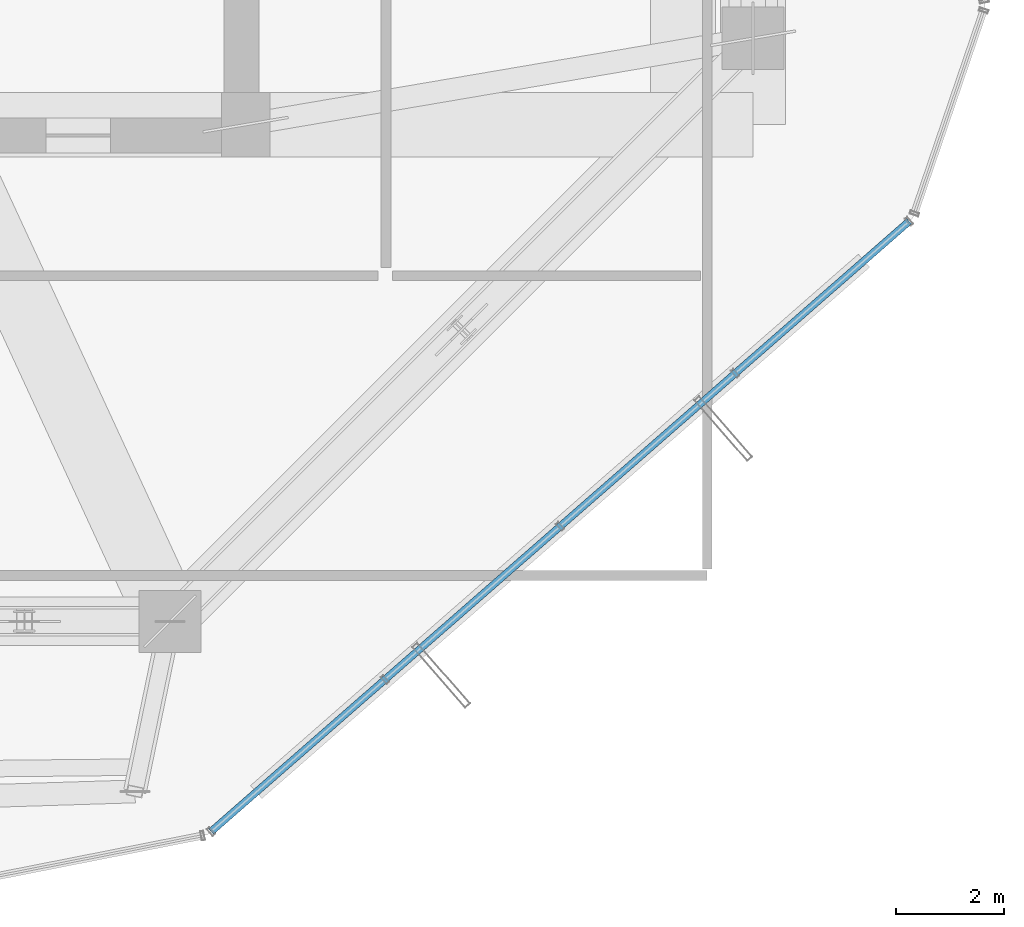
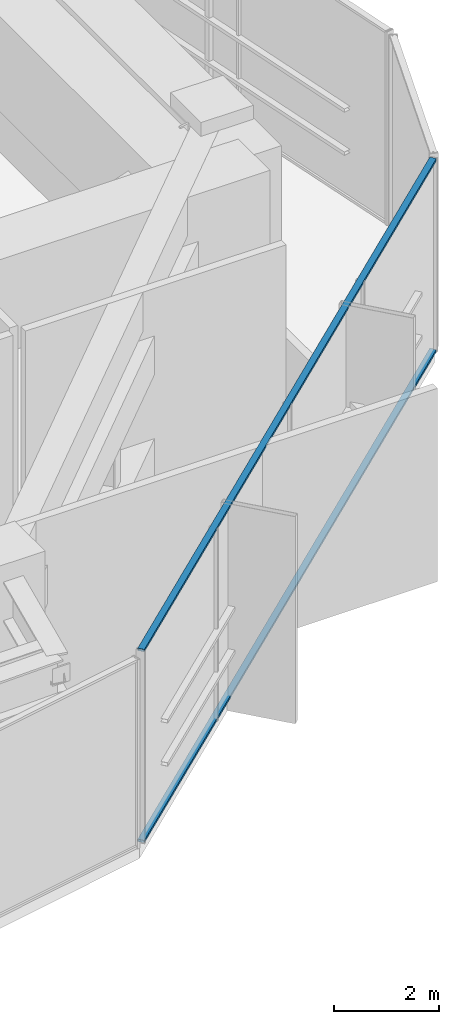
# One storey, part 17 of 36: 2 members, 1 element without a shape of its own.
"""IFC4 building model written with IfcOpenShell, lengths in metres."""

from ifc_helpers import new_model, si_unit, direction, frame, origin, origin_2d, place, context, subcontext, project, spatial, hollow_rectangle, extrude, source, transform, mapped, material, layer, layer_set, material_profile, profile_set, type_object, element, aggregate, save


model = new_model("IFC4")

# Units and contexts
model_context = context("Model", 3, precision=1e-05, world=origin(), true_north=direction((0.0, 1.0)))
body_context = subcontext(model_context, "Body", "Model", "MODEL_VIEW")
ifc_project = project(units=[si_unit("LENGTHUNIT", "METRE"), si_unit("AREAUNIT", "SQUARE_METRE"), si_unit("VOLUMEUNIT", "CUBIC_METRE"), si_unit("PLANEANGLEUNIT", "RADIAN"), si_unit("MASSUNIT", "GRAM", prefix="KILO")], contexts=[model_context])

# Site, building, storey
site_placement = place(None, origin())
site = spatial("IfcSite", under=ifc_project, at=site_placement, CompositionType="ELEMENT")
building_placement = place(site_placement, origin())
building = spatial("IfcBuilding", under=site, at=building_placement, Name="Veraguas Prism Commons", CompositionType="ELEMENT")
storey_placement = place(building_placement, frame((0.0, 0.0, 169.550048828125)))
storey = spatial("IfcBuildingStorey", under=building, at=storey_placement, Name="L48", CompositionType="ELEMENT", Elevation=169.550048828125)

# Curtain wall, members
ifc_material = material(Name="Anodised aluminium EN AW-6063 T6", Category="aluminium")
ifc_layer = layer(ifc_material, 0.169921875, Name="Unitised Flush Curtain Wall Zone 2", Category="aluminium")
ifc_layer_set = layer_set([ifc_layer], Name="Anodised aluminium EN AW-6063 T6")
curtain_wall_type = type_object("IfcCurtainWallType", Name="Unitised Flush Curtain Wall Zone 2", PredefinedType="NOTDEFINED", material=ifc_layer_set)
curtain_wall_placement = place(storey_placement, origin())
curtain_wall = element("IfcCurtainWall", 1, at=curtain_wall_placement, inside=storey, type_object=curtain_wall_type, Name="Tower Facade Curtain Wall L48-F5", PredefinedType="NOTDEFINED")
ifc_material_profile = material_profile(ifc_material, hollow_rectangle(XDim=0.054931640625, YDim=0.135009765625, WallThickness=0.0029296875, at=origin_2d()), Name="AL55X135X3")
ifc_profile_set = profile_set([ifc_material_profile], Name="Anodised aluminium EN AW-6063 T6")
member_type = type_object("IfcMemberType", Name="Curtain Wall Transom Standard AL 55x135x3", PredefinedType="USERDEFINED", material=ifc_profile_set)
shared_shape = source(origin(), body_context, "Body", "SweptSolid", [
    extrude(hollow_rectangle(XDim=0.054931640625, YDim=0.135009765625, WallThickness=0.0029296875, at=origin_2d()), origin(), (0.0, 0.0, 1.0), 17.17431640625),
])
member_1_placement = place(storey_placement, frame((30.16015625, 3.90625, 0.02734375), z_axis=(0.752877781906, 0.658160349392, 0.0), x_axis=(0.0, 0.0, 1.0)))
member_1 = element("IfcMember", 2, at=member_1_placement, type_object=member_type, Name="CW-Z2 Transom 1", ObjectType="TRANSOM", PredefinedType="USERDEFINED", context=body_context, shape_type="MappedRepresentation", body=[
    mapped(shared_shape, transform((0.0, 0.0, 0.0), scale=1.0)),
])
member_2_placement = place(storey_placement, frame((30.16015625, 3.90625, 4.452392578125), z_axis=(0.752877781906, 0.658160349392, 0.0), x_axis=(0.0, 0.0, 1.0)))
member_2 = element("IfcMember", 3, at=member_2_placement, type_object=member_type, Name="CW-Z2 Transom 2", ObjectType="TRANSOM", PredefinedType="USERDEFINED", context=body_context, shape_type="MappedRepresentation", body=[
    mapped(shared_shape, transform((0.0, 0.0, 0.0), scale=1.0)),
])
aggregate(curtain_wall, [member_1, member_2])

save(model, "model.ifc")
